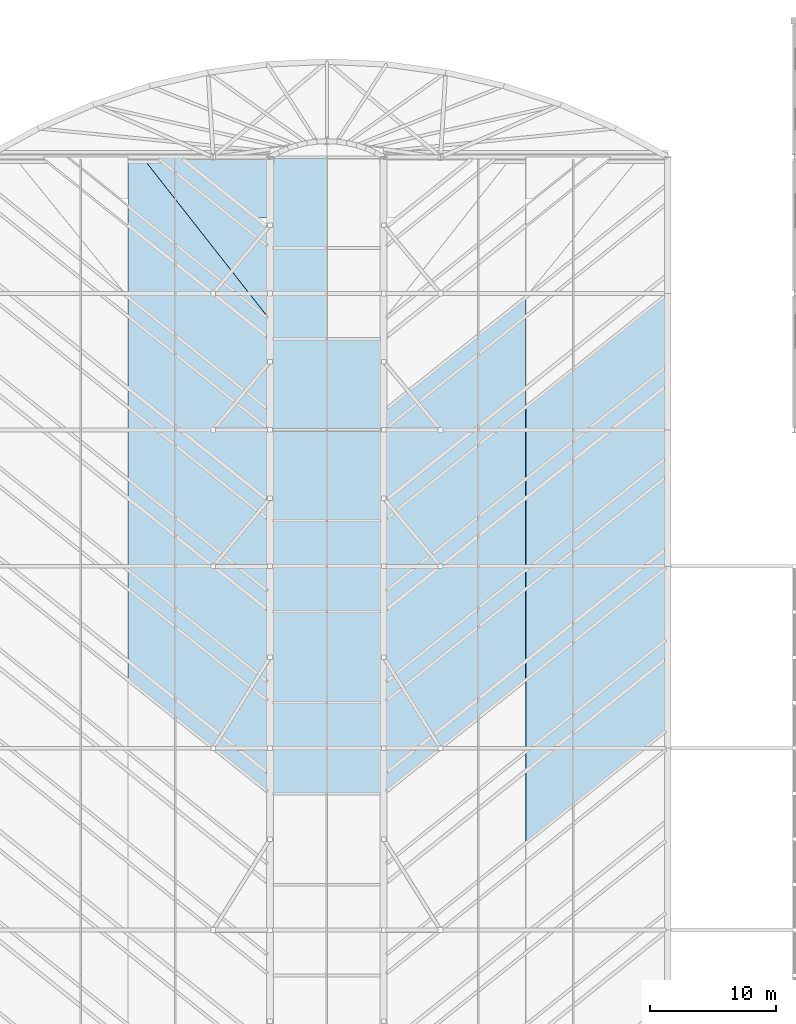
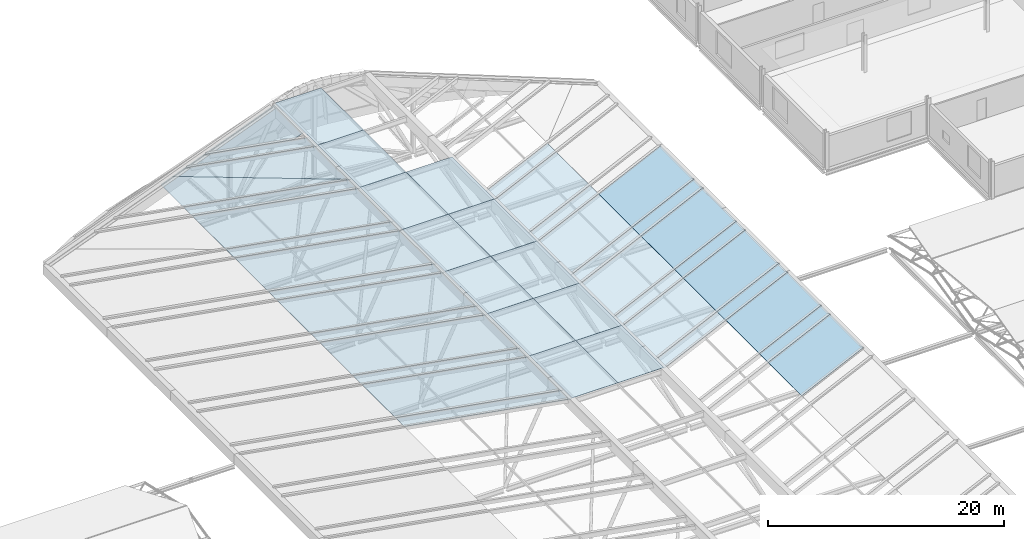
# One storey, part 67 of 110: 45 plates.
"""IFC4 building model written with IfcOpenShell, lengths in metres."""

from ifc_helpers import new_model, si_unit, direction, frame, origin, place, context, subcontext, project, spatial, polyline, outline, extrude, material, layer, layer_set, type_object, element, save


model = new_model("IFC4")

# Units and contexts
model_context = context("Model", 3, precision=1e-05, world=origin(), true_north=direction((0.0, 1.0)))
body_context = subcontext(model_context, "Body", "Model", "MODEL_VIEW")
ifc_project = project(units=[si_unit("LENGTHUNIT", "METRE"), si_unit("AREAUNIT", "SQUARE_METRE"), si_unit("VOLUMEUNIT", "CUBIC_METRE"), si_unit("PLANEANGLEUNIT", "RADIAN"), si_unit("MASSUNIT", "GRAM", prefix="KILO")], contexts=[model_context])

# Site, building, storey
site_placement = place(None, origin())
site = spatial("IfcSite", under=ifc_project, at=site_placement, CompositionType="ELEMENT")
building_placement = place(site_placement, origin())
building = spatial("IfcBuilding", under=site, at=building_placement, Name="Tamarisk Ironworks Central Station", CompositionType="ELEMENT")
storey_placement = place(building_placement, frame((0.0, 0.0, 17.39990234375)))
storey = spatial("IfcBuildingStorey", under=building, at=storey_placement, Name="L03", CompositionType="ELEMENT", Elevation=17.39990234375)

# Plates
ifc_material = material(Name="Laminated solar-control low-E glass", Category="glass")
ifc_layer_1 = layer(ifc_material, 0.031982421875)
ifc_layer_set_1 = layer_set([ifc_layer_1], Name="Laminated solar-control low-E glass")
plate_type_1 = type_object("IfcPlateType", Name="PL-RG32", PredefinedType="USERDEFINED", material=ifc_layer_set_1)
plate_1_placement = place(storey_placement, frame((107.99609375, 66.30078125, -0.6982421875), z_axis=(0.36422776346, 0.0, 0.931309903483), x_axis=(0.0, 1.0, 0.0)))
element("IfcPlate", 1, at=plate_1_placement, inside=storey, type_object=plate_type_1, Name="Concourse fitted 4-vertex fishbone roof glass panel 0143", ObjectType="ROOF GLAZING PANEL", PredefinedType="USERDEFINED", context=body_context, shape_type="SweptSolid", body=[
    extrude(outline(polyline([(0.0, 0.0), (5.692138671875, 0.0), (-3.301513671875, 12.071371149346135), (-8.99365234375, 12.071371149346135), (0.0, 0.0)])), origin(), (0.0, 0.0, -1.0), 0.031982421875),
])
plate_2_placement = place(storey_placement, frame((107.99609375, 72.000732421875, -0.6982421875), z_axis=(0.36422776346, 0.0, 0.931309903483), x_axis=(0.0, 1.0, 0.0)))
element("IfcPlate", 2, at=plate_2_placement, inside=storey, type_object=plate_type_1, Name="Concourse fitted 4-vertex fishbone roof glass panel 0144", ObjectType="ROOF GLAZING PANEL", PredefinedType="USERDEFINED", context=body_context, shape_type="SweptSolid", body=[
    extrude(outline(polyline([(0.0, 0.0), (1.4921875, 0.0), (-7.50146484375, 12.071371149346136), (-8.99365234375, 12.071371149346136), (0.0, 0.0)])), origin(), (0.0, 0.0, -1.0), 0.031982421875),
])
plate_3_placement = place(storey_placement, frame((107.99609375, 73.500732421875, -0.6982421875), z_axis=(0.36422776346, 0.0, 0.931309903483), x_axis=(0.0, 1.0, 0.0)))
element("IfcPlate", 3, at=plate_3_placement, inside=storey, type_object=plate_type_1, Name="Concourse fitted 4-vertex fishbone roof glass panel 0145", ObjectType="ROOF GLAZING PANEL", PredefinedType="USERDEFINED", context=body_context, shape_type="SweptSolid", body=[
    extrude(outline(polyline([(0.0, 0.0), (5.692138671875, 0.0), (-3.301513671875, 12.071371149346135), (-8.99365234375, 12.071371149346135), (0.0, 0.0)])), origin(), (0.0, 0.0, -1.0), 0.031982421875),
])
plate_4_placement = place(storey_placement, frame((107.99609375, 79.20068359375, -0.6982421875), z_axis=(0.36422776346, 0.0, 0.931309903483), x_axis=(0.0, 1.0, 0.0)))
element("IfcPlate", 4, at=plate_4_placement, inside=storey, type_object=plate_type_1, Name="Concourse fitted 4-vertex fishbone roof glass panel 0146", ObjectType="ROOF GLAZING PANEL", PredefinedType="USERDEFINED", context=body_context, shape_type="SweptSolid", body=[
    extrude(outline(polyline([(0.0, 0.0), (1.4921875, 0.0), (-7.50146484375, 12.071371149346135), (-8.993408203125, 12.071371149346135), (0.0, 0.0)])), origin(), (0.0, 0.0, -1.0), 0.031982421875),
])
plate_5_placement = place(storey_placement, frame((107.99609375, 80.70068359375, -0.6982421875), z_axis=(0.36422776346, 0.0, 0.931309903483), x_axis=(0.0, 1.0, 0.0)))
element("IfcPlate", 5, at=plate_5_placement, inside=storey, type_object=plate_type_1, Name="Concourse fitted 4-vertex fishbone roof glass panel 0147", ObjectType="ROOF GLAZING PANEL", PredefinedType="USERDEFINED", context=body_context, shape_type="SweptSolid", body=[
    extrude(outline(polyline([(0.0, 0.0), (5.692138671875, 0.0), (-3.301513671875, 12.071371149346136), (-8.993408203125, 12.071371149346136), (0.0, 0.0)])), origin(), (0.0, 0.0, -1.0), 0.031982421875),
])
plate_6_placement = place(storey_placement, frame((107.99609375, 86.40087890625, -0.6982421875), z_axis=(0.36422776346, 0.0, 0.931309903483), x_axis=(0.0, 1.0, 0.0)))
element("IfcPlate", 6, at=plate_6_placement, inside=storey, type_object=plate_type_1, Name="Concourse fitted 4-vertex fishbone roof glass panel 0148", ObjectType="ROOF GLAZING PANEL", PredefinedType="USERDEFINED", context=body_context, shape_type="SweptSolid", body=[
    extrude(outline(polyline([(0.0, 0.0), (1.491943359375, 0.0), (-7.501708984375, 12.071371149346136), (-8.99365234375, 12.071371149346136), (0.0, 0.0)])), origin(), (0.0, 0.0, -1.0), 0.031982421875),
])
plate_7_placement = place(storey_placement, frame((107.99609375, 87.90087890625, -0.6982421875), z_axis=(0.36422776346, 0.0, 0.931309903483), x_axis=(0.0, 1.0, 0.0)))
element("IfcPlate", 7, at=plate_7_placement, inside=storey, type_object=plate_type_1, Name="Concourse fitted 4-vertex fishbone roof glass panel 0149", ObjectType="ROOF GLAZING PANEL", PredefinedType="USERDEFINED", context=body_context, shape_type="SweptSolid", body=[
    extrude(outline(polyline([(0.0, 0.0), (5.69189453125, 0.0), (-3.3017578125, 12.071371149346135), (-8.99365234375, 12.071371149346135), (0.0, 0.0)])), origin(), (0.0, 0.0, -1.0), 0.031982421875),
])
plate_8_placement = place(storey_placement, frame((107.99609375, 93.600830078125, -0.6982421875), z_axis=(0.36422776346, 0.0, 0.931309903483), x_axis=(0.0, 1.0, 0.0)))
element("IfcPlate", 8, at=plate_8_placement, inside=storey, type_object=plate_type_1, Name="Concourse fitted 4-vertex fishbone roof glass panel 0150", ObjectType="ROOF GLAZING PANEL", PredefinedType="USERDEFINED", context=body_context, shape_type="SweptSolid", body=[
    extrude(outline(polyline([(0.0, 0.0), (1.491943359375, 0.0), (-7.501708984375, 12.071371149346136), (-8.99365234375, 12.071371149346136), (0.0, 0.0)])), origin(), (0.0, 0.0, -1.0), 0.031982421875),
])
plate_9_placement = place(storey_placement, frame((107.99609375, 95.100830078125, -0.6982421875), z_axis=(0.36422776346, 0.0, 0.931309903483), x_axis=(0.0, 1.0, 0.0)))
element("IfcPlate", 9, at=plate_9_placement, inside=storey, type_object=plate_type_1, Name="Concourse fitted 4-vertex fishbone roof glass panel 0151", ObjectType="ROOF GLAZING PANEL", PredefinedType="USERDEFINED", context=body_context, shape_type="SweptSolid", body=[
    extrude(outline(polyline([(0.0, 0.0), (5.69189453125, 0.0), (-3.301513671875, 12.071371149346136), (-8.99365234375, 12.071371149346136), (0.0, 0.0)])), origin(), (0.0, 0.0, -1.0), 0.031982421875),
])
ifc_layer_2 = layer(ifc_material, 0.035888671875)
ifc_layer_set_2 = layer_set([ifc_layer_2], Name="Laminated solar-control low-E glass")
plate_type_2 = type_object("IfcPlateType", Name="PL-RG36", PredefinedType="USERDEFINED", material=ifc_layer_set_2)
plate_10_placement = place(storey_placement, frame((0.0, 0.0, 8.1640625)))
element("IfcPlate", 10, at=plate_10_placement, inside=storey, type_object=plate_type_2, Name="Concourse central skylight spine glass panel 015", ObjectType="ROOF GLAZING PANEL", PredefinedType="USERDEFINED", context=body_context, shape_type="SweptSolid", body=[
    extrude(outline(polyline([(76.5, 61.2041015625), (80.99609375, 61.2041015625), (80.99609375, 68.39599609375), (76.5, 68.39599609375), (76.5, 61.2041015625)])), origin(), (0.0, 0.0, 1.0), 0.0361328125),
])
plate_11_placement = place(storey_placement, frame((0.0, 0.0, 8.1640625)))
element("IfcPlate", 11, at=plate_11_placement, inside=storey, type_object=plate_type_2, Name="Concourse central skylight spine glass panel 016", ObjectType="ROOF GLAZING PANEL", PredefinedType="USERDEFINED", context=body_context, shape_type="SweptSolid", body=[
    extrude(outline(polyline([(81.00390625, 61.2041015625), (85.5, 61.2041015625), (85.5, 68.39599609375), (81.00390625, 68.39599609375), (81.00390625, 61.2041015625)])), origin(), (0.0, 0.0, 1.0), 0.0361328125),
])
plate_12_placement = place(storey_placement, frame((0.0, 0.0, 8.1640625)))
element("IfcPlate", 12, at=plate_12_placement, inside=storey, type_object=plate_type_2, Name="Concourse central skylight spine glass panel 017", ObjectType="ROOF GLAZING PANEL", PredefinedType="USERDEFINED", context=body_context, shape_type="SweptSolid", body=[
    extrude(outline(polyline([(76.5, 68.404052734375), (80.99609375, 68.404052734375), (80.99609375, 75.595947265625), (76.5, 75.595947265625), (76.5, 68.404052734375)])), origin(), (0.0, 0.0, 1.0), 0.0361328125),
])
plate_13_placement = place(storey_placement, frame((0.0, 0.0, 8.1640625)))
element("IfcPlate", 13, at=plate_13_placement, inside=storey, type_object=plate_type_2, Name="Concourse central skylight spine glass panel 018", ObjectType="ROOF GLAZING PANEL", PredefinedType="USERDEFINED", context=body_context, shape_type="SweptSolid", body=[
    extrude(outline(polyline([(81.00390625, 68.404052734375), (85.5, 68.404052734375), (85.5, 75.595947265625), (81.00390625, 75.595947265625), (81.00390625, 68.404052734375)])), origin(), (0.0, 0.0, 1.0), 0.0361328125),
])
plate_14_placement = place(storey_placement, frame((0.0, 0.0, 8.1640625)))
element("IfcPlate", 14, at=plate_14_placement, inside=storey, type_object=plate_type_2, Name="Concourse central skylight spine glass panel 019", ObjectType="ROOF GLAZING PANEL", PredefinedType="USERDEFINED", context=body_context, shape_type="SweptSolid", body=[
    extrude(outline(polyline([(76.5, 75.60400390625), (80.99609375, 75.60400390625), (80.99609375, 82.7958984375), (76.5, 82.7958984375), (76.5, 75.60400390625)])), origin(), (0.0, 0.0, 1.0), 0.0361328125),
])
plate_15_placement = place(storey_placement, frame((0.0, 0.0, 8.1640625)))
element("IfcPlate", 15, at=plate_15_placement, inside=storey, type_object=plate_type_2, Name="Concourse central skylight spine glass panel 020", ObjectType="ROOF GLAZING PANEL", PredefinedType="USERDEFINED", context=body_context, shape_type="SweptSolid", body=[
    extrude(outline(polyline([(81.00390625, 75.60400390625), (85.5, 75.60400390625), (85.5, 82.7958984375), (81.00390625, 82.7958984375), (81.00390625, 75.60400390625)])), origin(), (0.0, 0.0, 1.0), 0.0361328125),
])
plate_16_placement = place(storey_placement, frame((0.0, 0.0, 8.1640625)))
element("IfcPlate", 16, at=plate_16_placement, inside=storey, type_object=plate_type_2, Name="Concourse central skylight spine glass panel 021", ObjectType="ROOF GLAZING PANEL", PredefinedType="USERDEFINED", context=body_context, shape_type="SweptSolid", body=[
    extrude(outline(polyline([(76.5, 82.803955078125), (80.99609375, 82.803955078125), (80.99609375, 89.99609375), (76.5, 89.99609375), (76.5, 82.803955078125)])), origin(), (0.0, 0.0, 1.0), 0.0361328125),
])
plate_17_placement = place(storey_placement, frame((0.0, 0.0, 8.1640625)))
element("IfcPlate", 17, at=plate_17_placement, inside=storey, type_object=plate_type_2, Name="Concourse central skylight spine glass panel 022", ObjectType="ROOF GLAZING PANEL", PredefinedType="USERDEFINED", context=body_context, shape_type="SweptSolid", body=[
    extrude(outline(polyline([(81.00390625, 82.803955078125), (85.5, 82.803955078125), (85.5, 89.99609375), (81.00390625, 89.99609375), (81.00390625, 82.803955078125)])), origin(), (0.0, 0.0, 1.0), 0.0361328125),
])
plate_18_placement = place(storey_placement, frame((0.0, 0.0, 8.1640625)))
element("IfcPlate", 18, at=plate_18_placement, inside=storey, type_object=plate_type_2, Name="Concourse central skylight spine glass panel 023", ObjectType="ROOF GLAZING PANEL", PredefinedType="USERDEFINED", context=body_context, shape_type="SweptSolid", body=[
    extrude(outline(polyline([(76.5, 90.00390625), (80.99609375, 90.00390625), (80.99609375, 97.196044921875), (76.5, 97.196044921875), (76.5, 90.00390625)])), origin(), (0.0, 0.0, 1.0), 0.0361328125),
])
plate_19_placement = place(storey_placement, frame((0.0, 0.0, 8.1640625)))
element("IfcPlate", 19, at=plate_19_placement, inside=storey, type_object=plate_type_2, Name="Concourse central skylight spine glass panel 024", ObjectType="ROOF GLAZING PANEL", PredefinedType="USERDEFINED", context=body_context, shape_type="SweptSolid", body=[
    extrude(outline(polyline([(81.00390625, 90.00390625), (85.5, 90.00390625), (85.5, 97.196044921875), (81.00390625, 97.196044921875), (81.00390625, 90.00390625)])), origin(), (0.0, 0.0, 1.0), 0.0361328125),
])
plate_20_placement = place(storey_placement, frame((0.0, 0.0, 8.1640625)))
element("IfcPlate", 20, at=plate_20_placement, inside=storey, type_object=plate_type_2, Name="Concourse central skylight spine glass panel 025", ObjectType="ROOF GLAZING PANEL", PredefinedType="USERDEFINED", context=body_context, shape_type="SweptSolid", body=[
    extrude(outline(polyline([(76.5, 97.2041015625), (80.99609375, 97.2041015625), (80.99609375, 104.39599609375), (76.5, 104.39599609375), (76.5, 97.2041015625)])), origin(), (0.0, 0.0, 1.0), 0.0361328125),
])
plate_21_placement = place(storey_placement, frame((0.0, 0.0, 8.1640625)))
element("IfcPlate", 21, at=plate_21_placement, inside=storey, type_object=plate_type_2, Name="Concourse central skylight spine glass panel 027", ObjectType="ROOF GLAZING PANEL", PredefinedType="USERDEFINED", context=body_context, shape_type="SweptSolid", body=[
    extrude(outline(polyline([(76.5, 104.404052734375), (80.99609375, 104.404052734375), (80.99609375, 111.595947265625), (76.5, 111.595947265625), (76.5, 104.404052734375)])), origin(), (0.0, 0.0, 1.0), 0.0361328125),
])
plate_22_placement = place(storey_placement, frame((76.49609375, 61.207275390625, 8.0986328125), z_axis=(-0.364245304975, 0.0, 0.931303042948), x_axis=(0.0, 1.0, 0.0)))
element("IfcPlate", 22, at=plate_22_placement, inside=storey, type_object=plate_type_2, Name="Concourse fitted 4-vertex fishbone roof glass panel 0046", ObjectType="ROOF GLAZING PANEL", PredefinedType="USERDEFINED", context=body_context, shape_type="SweptSolid", body=[
    extrude(outline(polyline([(0.0, 0.0), (1.491943359375, 0.0), (10.485595703125, 12.071460074281257), (8.993408203125, 12.071460074281257), (0.0, 0.0)])), origin(), (0.0, 0.0, -1.0), 0.035888671875),
])
plate_23_placement = place(storey_placement, frame((76.49609375, 62.707275390625, 8.0986328125), z_axis=(-0.364245304975, 0.0, 0.931303042948), x_axis=(0.0, 1.0, 0.0)))
element("IfcPlate", 23, at=plate_23_placement, inside=storey, type_object=plate_type_2, Name="Concourse fitted 4-vertex fishbone roof glass panel 0047", ObjectType="ROOF GLAZING PANEL", PredefinedType="USERDEFINED", context=body_context, shape_type="SweptSolid", body=[
    extrude(outline(polyline([(0.0, 0.0), (5.69189453125, 0.0), (14.685546875, 12.071460074281255), (8.993408203125, 12.071460074281255), (0.0, 0.0)])), origin(), (0.0, 0.0, -1.0), 0.035888671875),
])
plate_24_placement = place(storey_placement, frame((76.49609375, 68.4072265625, 8.0986328125), z_axis=(-0.364245304975, 0.0, 0.931303042948), x_axis=(0.0, 1.0, 0.0)))
element("IfcPlate", 24, at=plate_24_placement, inside=storey, type_object=plate_type_2, Name="Concourse fitted 4-vertex fishbone roof glass panel 0048", ObjectType="ROOF GLAZING PANEL", PredefinedType="USERDEFINED", context=body_context, shape_type="SweptSolid", body=[
    extrude(outline(polyline([(0.0, 0.0), (1.491943359375, 0.0), (10.485595703125, 12.071460074281257), (8.99365234375, 12.071460074281257), (0.0, 0.0)])), origin(), (0.0, 0.0, -1.0), 0.035888671875),
])
plate_25_placement = place(storey_placement, frame((76.49609375, 69.9072265625, 8.0986328125), z_axis=(-0.364245304975, 0.0, 0.931303042948), x_axis=(0.0, 1.0, 0.0)))
element("IfcPlate", 25, at=plate_25_placement, inside=storey, type_object=plate_type_2, Name="Concourse fitted 4-vertex fishbone roof glass panel 0049", ObjectType="ROOF GLAZING PANEL", PredefinedType="USERDEFINED", context=body_context, shape_type="SweptSolid", body=[
    extrude(outline(polyline([(0.0, 0.0), (5.69189453125, 0.0), (14.685546875, 12.071460074281255), (8.99365234375, 12.071460074281255), (0.0, 0.0)])), origin(), (0.0, 0.0, -1.0), 0.035888671875),
])
plate_26_placement = place(storey_placement, frame((76.49609375, 75.607177734375, 8.0986328125), z_axis=(-0.364245304975, 0.0, 0.931303042948), x_axis=(0.0, 1.0, 0.0)))
element("IfcPlate", 26, at=plate_26_placement, inside=storey, type_object=plate_type_2, Name="Concourse fitted 4-vertex fishbone roof glass panel 0050", ObjectType="ROOF GLAZING PANEL", PredefinedType="USERDEFINED", context=body_context, shape_type="SweptSolid", body=[
    extrude(outline(polyline([(0.0, 0.0), (1.491943359375, 0.0), (10.485595703125, 12.071460074281257), (8.99365234375, 12.071460074281257), (0.0, 0.0)])), origin(), (0.0, 0.0, -1.0), 0.035888671875),
])
plate_27_placement = place(storey_placement, frame((76.49609375, 77.107177734375, 8.0986328125), z_axis=(-0.364245304975, 0.0, 0.931303042948), x_axis=(0.0, 1.0, 0.0)))
element("IfcPlate", 27, at=plate_27_placement, inside=storey, type_object=plate_type_2, Name="Concourse fitted 4-vertex fishbone roof glass panel 0051", ObjectType="ROOF GLAZING PANEL", PredefinedType="USERDEFINED", context=body_context, shape_type="SweptSolid", body=[
    extrude(outline(polyline([(0.0, 0.0), (5.692138671875, 0.0), (14.685546875, 12.071460074281255), (8.99365234375, 12.071460074281255), (0.0, 0.0)])), origin(), (0.0, 0.0, -1.0), 0.035888671875),
])
plate_28_placement = place(storey_placement, frame((76.49609375, 82.80712890625, 8.0986328125), z_axis=(-0.364245304975, 0.0, 0.931303042948), x_axis=(0.0, 1.0, 0.0)))
element("IfcPlate", 28, at=plate_28_placement, inside=storey, type_object=plate_type_2, Name="Concourse fitted 4-vertex fishbone roof glass panel 0052", ObjectType="ROOF GLAZING PANEL", PredefinedType="USERDEFINED", context=body_context, shape_type="SweptSolid", body=[
    extrude(outline(polyline([(0.0, 0.0), (1.4921875, 0.0), (10.485595703125, 12.071460074281257), (8.99365234375, 12.071460074281257), (0.0, 0.0)])), origin(), (0.0, 0.0, -1.0), 0.035888671875),
])
plate_29_placement = place(storey_placement, frame((76.49609375, 84.30712890625, 8.0986328125), z_axis=(-0.364245304975, 0.0, 0.931303042948), x_axis=(0.0, 1.0, 0.0)))
element("IfcPlate", 29, at=plate_29_placement, inside=storey, type_object=plate_type_2, Name="Concourse fitted 4-vertex fishbone roof glass panel 0053", ObjectType="ROOF GLAZING PANEL", PredefinedType="USERDEFINED", context=body_context, shape_type="SweptSolid", body=[
    extrude(outline(polyline([(0.0, 0.0), (5.692138671875, 0.0), (14.685791015625, 12.071460074281257), (8.99365234375, 12.071460074281257), (0.0, 0.0)])), origin(), (0.0, 0.0, -1.0), 0.035888671875),
])
plate_30_placement = place(storey_placement, frame((76.49609375, 90.007080078125, 8.0986328125), z_axis=(-0.364245304975, 0.0, 0.931303042948), x_axis=(0.0, 1.0, 0.0)))
element("IfcPlate", 30, at=plate_30_placement, inside=storey, type_object=plate_type_2, Name="Concourse fitted 4-vertex fishbone roof glass panel 0054", ObjectType="ROOF GLAZING PANEL", PredefinedType="USERDEFINED", context=body_context, shape_type="SweptSolid", body=[
    extrude(outline(polyline([(0.0, 0.0), (1.4921875, 0.0), (10.48583984375, 12.071460074281255), (8.99365234375, 12.071460074281255), (0.0, 0.0)])), origin(), (0.0, 0.0, -1.0), 0.035888671875),
])
plate_31_placement = place(storey_placement, frame((76.49609375, 91.507080078125, 8.0986328125), z_axis=(-0.364245304975, 0.0, 0.931303042948), x_axis=(0.0, 1.0, 0.0)))
element("IfcPlate", 31, at=plate_31_placement, inside=storey, type_object=plate_type_2, Name="Concourse fitted 4-vertex fishbone roof glass panel 0055", ObjectType="ROOF GLAZING PANEL", PredefinedType="USERDEFINED", context=body_context, shape_type="SweptSolid", body=[
    extrude(outline(polyline([(0.0, 0.0), (5.692138671875, 0.0), (14.685791015625, 12.071460074281257), (8.99365234375, 12.071460074281257), (0.0, 0.0)])), origin(), (0.0, 0.0, -1.0), 0.035888671875),
])
plate_32_placement = place(storey_placement, frame((76.49609375, 97.207275390625, 8.0986328125), z_axis=(-0.364245304975, 0.0, 0.931303042948), x_axis=(0.0, 1.0, 0.0)))
element("IfcPlate", 32, at=plate_32_placement, inside=storey, type_object=plate_type_2, Name="Concourse fitted 4-vertex fishbone roof glass panel 0056", ObjectType="ROOF GLAZING PANEL", PredefinedType="USERDEFINED", context=body_context, shape_type="SweptSolid", body=[
    extrude(outline(polyline([(0.0, 0.0), (1.491943359375, 0.0), (10.485595703125, 12.071460074281257), (8.993408203125, 12.071460074281257), (0.0, 0.0)])), origin(), (0.0, 0.0, -1.0), 0.035888671875),
])
plate_33_placement = place(storey_placement, frame((76.49609375, 98.707275390625, 8.0986328125), z_axis=(-0.364244750766, 4.773498e-06, 0.931303259694), x_axis=(1.738722e-06, 0.999999999989, -4.445574e-06)))
element("IfcPlate", 33, at=plate_33_placement, inside=storey, type_object=plate_type_2, Name="Concourse fitted 4-vertex fishbone roof glass panel 0057", ObjectType="ROOF GLAZING PANEL", PredefinedType="USERDEFINED", context=body_context, shape_type="SweptSolid", body=[
    extrude(outline(polyline([(0.0, 0.0), (5.691894531185151, 0.0), (12.888671875146843, 9.659706509202653), (12.888671875017145, 10.865583291740885), (0.0, 0.0)])), origin(), (0.0, 0.0, -1.0), 0.035888671875),
])
plate_34_placement = place(storey_placement, frame((76.49609375, 98.707275390625, 8.0986328125), z_axis=(-0.364239954493, 5.380871e-06, 0.931305135561), x_axis=(-0.600272087504, 0.76456138138, -0.234775030754)))
element("IfcPlate", 34, at=plate_34_placement, inside=storey, type_object=plate_type_2, Name="Concourse fitted 4-vertex fishbone roof glass panel 0058", ObjectType="ROOF GLAZING PANEL", PredefinedType="USERDEFINED", context=body_context, shape_type="SweptSolid", body=[
    extrude(outline(polyline([(0.0, 0.0), (16.857602527403348, -8.881784197001252e-16), (17.63485152223831, 0.921966818812751), (14.656683348428771, 3.432662619083616), (0.0, 0.0)])), origin(), (0.0, 0.0, -1.0), 0.035888671875),
])
plate_35_placement = place(storey_placement, frame((76.49609375, 104.4072265625, 8.0986328125), z_axis=(-0.364261976918, -1.9107498e-05, 0.931296521955), x_axis=(-6.960135e-06, 0.999999999817, 1.7794747e-05)))
element("IfcPlate", 35, at=plate_35_placement, inside=storey, type_object=plate_type_2, Name="Concourse fitted 4-vertex fishbone roof glass panel 0059", ObjectType="ROOF GLAZING PANEL", PredefinedType="USERDEFINED", context=body_context, shape_type="SweptSolid", body=[
    extrude(outline(polyline([(0.0, 0.0), (1.4919433591026485, 0.0), (7.188720704437289, 7.646376364941488), (7.188720703892586, 9.648961550426737), (0.0, 0.0)])), origin(), (0.0, 0.0, -1.0), 0.035888671875),
])
plate_36_placement = place(storey_placement, frame((76.49609375, 106.760498046875, 8.0986328125), z_axis=(-0.364251530492, -8.977196e-06, 0.931300607996), x_axis=(-3.269957e-06, 0.99999999996, 8.360468e-06)))
element("IfcPlate", 36, at=plate_36_placement, inside=storey, type_object=plate_type_2, Name="Concourse fitted 4-vertex fishbone roof glass panel 0060", ObjectType="ROOF GLAZING PANEL", PredefinedType="USERDEFINED", context=body_context, shape_type="SweptSolid", body=[
    extrude(outline(polyline([(0.0, 0.0), (4.835449218555156, 0.0), (4.835449218944845, 7.635631407647327), (-3.8968909448970393e-10, 1.1453511284507365), (0.0, 0.0)])), origin(), (0.0, 0.0, -1.0), 0.035888671875),
])
plate_37_placement = place(storey_placement, frame((96.74609375, 70.20068359375, 3.70166015625), z_axis=(0.364245304975, 0.0, 0.931303042948), x_axis=(0.0, 1.0, 0.0)))
element("IfcPlate", 37, at=plate_37_placement, inside=storey, type_object=plate_type_2, Name="Concourse fitted 4-vertex fishbone roof glass panel 0111", ObjectType="ROOF GLAZING PANEL", PredefinedType="USERDEFINED", context=body_context, shape_type="SweptSolid", body=[
    extrude(outline(polyline([(0.0, 0.0), (1.4921875, 0.0), (-7.50146484375, 12.071460074281257), (-8.993408203125, 12.071460074281257), (0.0, 0.0)])), origin(), (0.0, 0.0, -1.0), 0.035888671875),
])
plate_38_placement = place(storey_placement, frame((96.74609375, 71.70068359375, 3.70166015625), z_axis=(0.364245304975, 0.0, 0.931303042948), x_axis=(0.0, 1.0, 0.0)))
element("IfcPlate", 38, at=plate_38_placement, inside=storey, type_object=plate_type_2, Name="Concourse fitted 4-vertex fishbone roof glass panel 0112", ObjectType="ROOF GLAZING PANEL", PredefinedType="USERDEFINED", context=body_context, shape_type="SweptSolid", body=[
    extrude(outline(polyline([(0.0, 0.0), (5.692138671875, 0.0), (-3.301513671875, 12.071460074281255), (-8.993408203125, 12.071460074281255), (0.0, 0.0)])), origin(), (0.0, 0.0, -1.0), 0.035888671875),
])
plate_39_placement = place(storey_placement, frame((96.74609375, 77.40087890625, 3.70166015625), z_axis=(0.364245304975, 0.0, 0.931303042948), x_axis=(0.0, 1.0, 0.0)))
element("IfcPlate", 39, at=plate_39_placement, inside=storey, type_object=plate_type_2, Name="Concourse fitted 4-vertex fishbone roof glass panel 0113", ObjectType="ROOF GLAZING PANEL", PredefinedType="USERDEFINED", context=body_context, shape_type="SweptSolid", body=[
    extrude(outline(polyline([(0.0, 0.0), (1.491943359375, 0.0), (-7.501708984375, 12.071460074281257), (-8.99365234375, 12.071460074281257), (0.0, 0.0)])), origin(), (0.0, 0.0, -1.0), 0.035888671875),
])
plate_40_placement = place(storey_placement, frame((96.74609375, 78.90087890625, 3.70166015625), z_axis=(0.364245304975, 0.0, 0.931303042948), x_axis=(0.0, 1.0, 0.0)))
element("IfcPlate", 40, at=plate_40_placement, inside=storey, type_object=plate_type_2, Name="Concourse fitted 4-vertex fishbone roof glass panel 0114", ObjectType="ROOF GLAZING PANEL", PredefinedType="USERDEFINED", context=body_context, shape_type="SweptSolid", body=[
    extrude(outline(polyline([(0.0, 0.0), (5.69189453125, 0.0), (-3.3017578125, 12.071460074281255), (-8.99365234375, 12.071460074281255), (0.0, 0.0)])), origin(), (0.0, 0.0, -1.0), 0.035888671875),
])
plate_41_placement = place(storey_placement, frame((96.74609375, 84.600830078125, 3.70166015625), z_axis=(0.364245304975, 0.0, 0.931303042948), x_axis=(0.0, 1.0, 0.0)))
element("IfcPlate", 41, at=plate_41_placement, inside=storey, type_object=plate_type_2, Name="Concourse fitted 4-vertex fishbone roof glass panel 0115", ObjectType="ROOF GLAZING PANEL", PredefinedType="USERDEFINED", context=body_context, shape_type="SweptSolid", body=[
    extrude(outline(polyline([(0.0, 0.0), (1.491943359375, 0.0), (-7.501708984375, 12.071460074281257), (-8.99365234375, 12.071460074281257), (0.0, 0.0)])), origin(), (0.0, 0.0, -1.0), 0.035888671875),
])
plate_42_placement = place(storey_placement, frame((96.74609375, 86.100830078125, 3.70166015625), z_axis=(0.364245304975, 0.0, 0.931303042948), x_axis=(0.0, 1.0, 0.0)))
element("IfcPlate", 42, at=plate_42_placement, inside=storey, type_object=plate_type_2, Name="Concourse fitted 4-vertex fishbone roof glass panel 0116", ObjectType="ROOF GLAZING PANEL", PredefinedType="USERDEFINED", context=body_context, shape_type="SweptSolid", body=[
    extrude(outline(polyline([(0.0, 0.0), (5.69189453125, 0.0), (-3.301513671875, 12.071460074281255), (-8.99365234375, 12.071460074281255), (0.0, 0.0)])), origin(), (0.0, 0.0, -1.0), 0.035888671875),
])
plate_43_placement = place(storey_placement, frame((96.74609375, 91.80078125, 3.70166015625), z_axis=(0.364245304975, 0.0, 0.931303042948), x_axis=(0.0, 1.0, 0.0)))
element("IfcPlate", 43, at=plate_43_placement, inside=storey, type_object=plate_type_2, Name="Concourse fitted 4-vertex fishbone roof glass panel 0117", ObjectType="ROOF GLAZING PANEL", PredefinedType="USERDEFINED", context=body_context, shape_type="SweptSolid", body=[
    extrude(outline(polyline([(0.0, 0.0), (1.491943359375, 0.0), (-7.50146484375, 12.071460074281257), (-8.99365234375, 12.071460074281257), (0.0, 0.0)])), origin(), (0.0, 0.0, -1.0), 0.035888671875),
])
plate_44_placement = place(storey_placement, frame((96.74609375, 93.30078125, 3.70166015625), z_axis=(0.364245304975, 0.0, 0.931303042948), x_axis=(0.0, 1.0, 0.0)))
element("IfcPlate", 44, at=plate_44_placement, inside=storey, type_object=plate_type_2, Name="Concourse fitted 4-vertex fishbone roof glass panel 0118", ObjectType="ROOF GLAZING PANEL", PredefinedType="USERDEFINED", context=body_context, shape_type="SweptSolid", body=[
    extrude(outline(polyline([(0.0, 0.0), (5.692138671875, 0.0), (-3.301513671875, 12.071460074281257), (-8.99365234375, 12.071460074281257), (0.0, 0.0)])), origin(), (0.0, 0.0, -1.0), 0.035888671875),
])
plate_45_placement = place(storey_placement, frame((96.74609375, 99.000732421875, 3.70166015625), z_axis=(0.364245304975, 0.0, 0.931303042948), x_axis=(0.0, 1.0, 0.0)))
element("IfcPlate", 45, at=plate_45_placement, inside=storey, type_object=plate_type_2, Name="Concourse fitted 4-vertex fishbone roof glass panel 0119", ObjectType="ROOF GLAZING PANEL", PredefinedType="USERDEFINED", context=body_context, shape_type="SweptSolid", body=[
    extrude(outline(polyline([(0.0, 0.0), (1.4921875, 0.0), (-7.50146484375, 12.071460074281255), (-8.99365234375, 12.071460074281255), (0.0, 0.0)])), origin(), (0.0, 0.0, -1.0), 0.035888671875),
])

save(model, "model.ifc")
